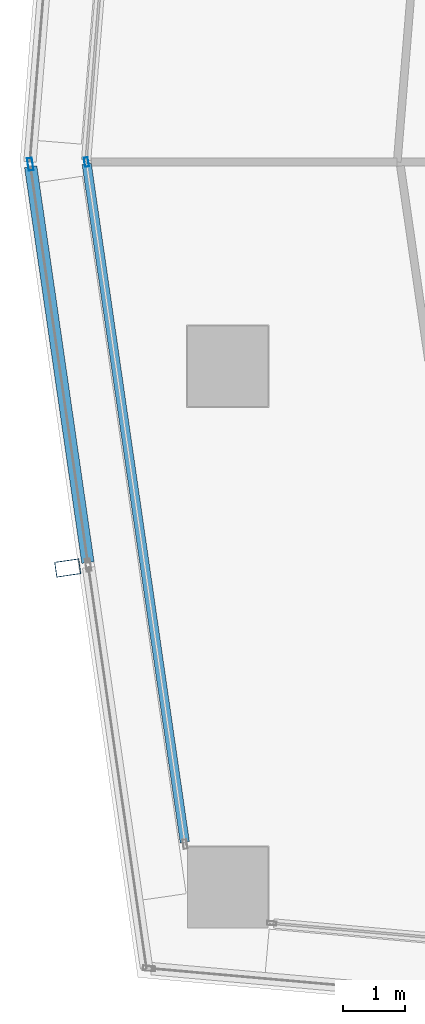
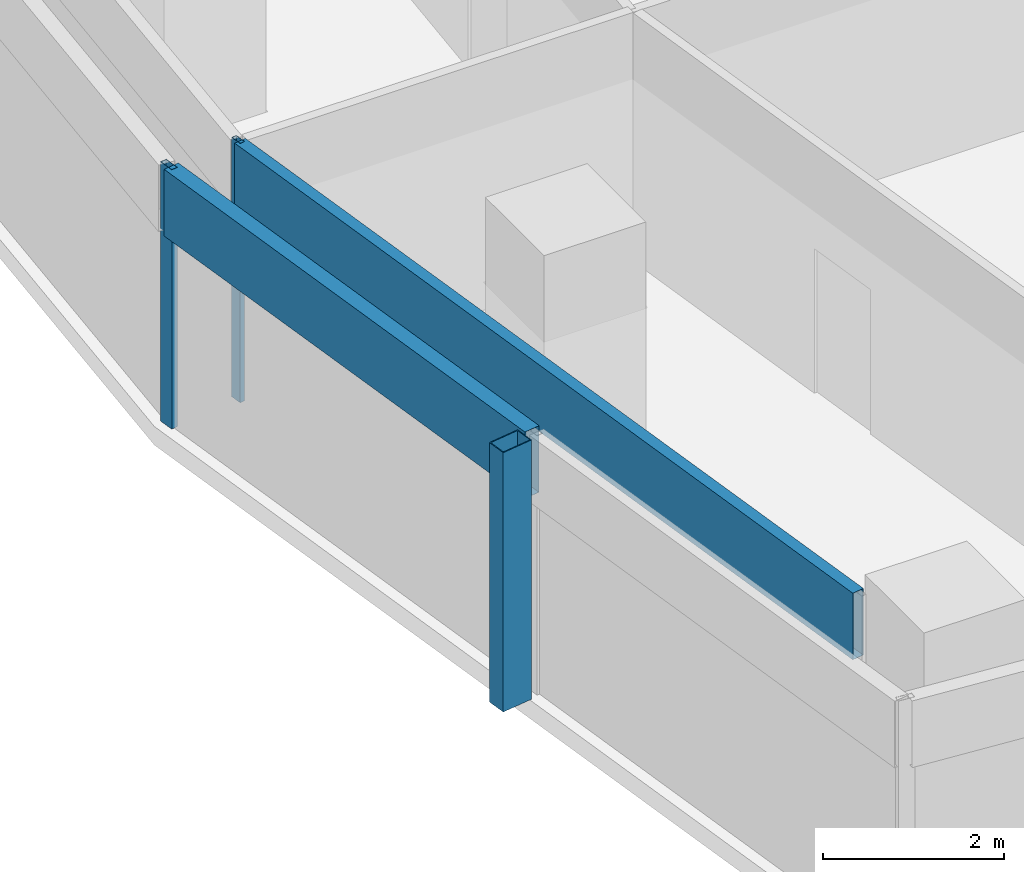
# One storey, part 4 of 30: 5 members, 2 elements without a shape of their own.
"""IFC4 building model written with IfcOpenShell, lengths in metres."""

from ifc_helpers import new_model, si_unit, direction, frame, origin, origin_2d, place, context, subcontext, project, spatial, hollow_rectangle, extrude, material, material_profile, profile_set, type_object, element, aggregate, save


model = new_model("IFC4")

# Units and contexts
model_context = context("Model", 3, precision=1e-05, world=origin(), true_north=direction((0.0, 1.0)))
body_context = subcontext(model_context, "Body", "Model", "MODEL_VIEW")
ifc_project = project(units=[si_unit("LENGTHUNIT", "METRE"), si_unit("AREAUNIT", "SQUARE_METRE"), si_unit("VOLUMEUNIT", "CUBIC_METRE"), si_unit("PLANEANGLEUNIT", "RADIAN"), si_unit("MASSUNIT", "GRAM", prefix="KILO")], contexts=[model_context])

# Site, building, storey
site_placement = place(None, origin())
site = spatial("IfcSite", under=ifc_project, at=site_placement, CompositionType="ELEMENT")
building_placement = place(site_placement, origin())
building = spatial("IfcBuilding", under=site, at=building_placement, Name="Rekha Terrace Tower", CompositionType="ELEMENT")
storey_placement = place(building_placement, frame((0.0, 0.0, 265.10009765625)))
storey = spatial("IfcBuildingStorey", under=building, at=storey_placement, Name="L67", CompositionType="ELEMENT", Elevation=265.10009765625)

# Curtain wall, member
ifc_material_1 = material(Name="Aluminium framing", Category="aluminium")
curtain_wall_type_1 = type_object("IfcCurtainWallType", Name="CW2 double skin outer glazing", PredefinedType="USERDEFINED", material=ifc_material_1)
curtain_wall_1_placement = place(storey_placement, origin())
curtain_wall_1 = element("IfcCurtainWall", 1, at=curtain_wall_1_placement, inside=storey, type_object=curtain_wall_type_1, Name="CW2 double skin outer glazing", ObjectType="DOUBLE SKIN OUTER GLAZING", PredefinedType="USERDEFINED")
ifc_material_2 = material(Name="Steel S355 with fluorocarbon finish", Category="steel")
ifc_material_profile_1 = material_profile(ifc_material_2, hollow_rectangle(XDim=0.25, YDim=0.39990234375, WallThickness=0.012451171875, at=origin_2d()), Name="RHS400x250x12.5")
ifc_profile_set_1 = profile_set([ifc_material_profile_1], Name="Steel S355 with fluorocarbon finish")
member_type_1 = type_object("IfcMemberType", Name="BL1 facade blade RHS 400 x 250", PredefinedType="USERDEFINED", material=ifc_profile_set_1)
member_1_placement = place(storey_placement, frame((5.819091796875, 21.94873046875, 0.0), z_axis=(0.0, 0.0, 1.0), x_axis=(0.143109157841, -0.989706910627, 0.0)))
member_1 = element("IfcMember", 2, at=member_1_placement, type_object=member_type_1, Name="Facade blade", ObjectType="FACADE BLADE", PredefinedType="USERDEFINED", context=body_context, shape_type="SweptSolid", body=[
    extrude(hollow_rectangle(XDim=0.25, YDim=0.39990234375, WallThickness=0.012451171875, at=origin_2d()), origin(), (0.0, 0.0, 1.0), 3.5),
])

# Curtain wall, members
curtain_wall_type_2 = type_object("IfcCurtainWallType", Name="CW1 double skin inner glazing", PredefinedType="USERDEFINED", material=ifc_material_1)
curtain_wall_2_placement = place(storey_placement, origin())
curtain_wall_2 = element("IfcCurtainWall", 3, at=curtain_wall_2_placement, inside=storey, type_object=curtain_wall_type_2, Name="CW1 double skin inner glazing", ObjectType="DOUBLE SKIN INNER GLAZING", PredefinedType="USERDEFINED")
ifc_material_3 = material(Name="Aluminium mullion section", Category="aluminium")
ifc_material_profile_2 = material_profile(ifc_material_3, hollow_rectangle(XDim=0.06494140625, YDim=0.14990234375, WallThickness=0.00390625, at=origin_2d()), Name="AL RHS 65x150")
ifc_profile_set_2 = profile_set([ifc_material_profile_2], Name="Aluminium mullion section")
member_type_2 = type_object("IfcMemberType", Name="CW1 mullion RHS 65 x 150", PredefinedType="MULLION", material=ifc_profile_set_2)
member_2_placement = place(storey_placement, frame((6.120849609375, 28.4912109375, 0.0), z_axis=(0.0, 0.0, 1.0), x_axis=(0.989707031394, 0.143108322643, 0.0)))
member_2 = element("IfcMember", 4, at=member_2_placement, type_object=member_type_2, Name="CW1 mullion 1", PredefinedType="MULLION", context=body_context, shape_type="SweptSolid", body=[
    extrude(hollow_rectangle(XDim=0.06494140625, YDim=0.14990234375, WallThickness=0.00390625, at=origin_2d()), origin(), (0.0, 0.0, 1.0), 3.5),
])
ifc_material_4 = material(Name="Insulated aluminium spandrel box", Category="aluminium")
ifc_material_profile_3 = material_profile(ifc_material_4, hollow_rectangle(XDim=0.14990234375, YDim=0.89990234375, WallThickness=0.0029296875, at=origin_2d()), Name="AL SPANDREL BOX 150x900")
ifc_profile_set_3 = profile_set([ifc_material_profile_3], Name="Insulated aluminium spandrel box")
member_type_3 = type_object("IfcMemberType", Name="CW1 spandrel transom 150 x 900", PredefinedType="USERDEFINED", material=ifc_profile_set_3)
member_3_placement = place(storey_placement, frame((6.12548828125, 28.458984375, 3.0498046875), z_axis=(0.143104894735, -0.989707527052, 0.0), x_axis=(0.989707527052, 0.143104894735, 0.0)))
member_3 = element("IfcMember", 5, at=member_3_placement, type_object=member_type_3, Name="CW1 spandrel transom 1", ObjectType="TRANSOM", PredefinedType="USERDEFINED", context=body_context, shape_type="SweptSolid", body=[
    extrude(hollow_rectangle(XDim=0.14990234375, YDim=0.89990234375, WallThickness=0.0029296875, at=origin_2d()), origin(), (0.0, 0.0, 1.0), 11.043212890625),
])
aggregate(curtain_wall_2, [member_2, member_3])

# Member
ifc_material_profile_4 = material_profile(ifc_material_3, hollow_rectangle(XDim=0.080078125, YDim=0.199951171875, WallThickness=0.00390625, at=origin_2d()), Name="AL RHS 80x200")
ifc_profile_set_4 = profile_set([ifc_material_profile_4], Name="Aluminium mullion section")
member_type_4 = type_object("IfcMemberType", Name="CW2 mullion RHS 80 x 200", PredefinedType="MULLION", material=ifc_profile_set_4)
member_4_placement = place(storey_placement, frame((5.216552734375, 28.455322265625, 0.0), z_axis=(0.0, 0.0, 1.0), x_axis=(0.989707031389, 0.143108322678, 0.0)))
member_4 = element("IfcMember", 6, at=member_4_placement, type_object=member_type_4, Name="CW2 mullion 1", PredefinedType="MULLION", context=body_context, shape_type="SweptSolid", body=[
    extrude(hollow_rectangle(XDim=0.080078125, YDim=0.199951171875, WallThickness=0.00390625, at=origin_2d()), origin(), (0.0, 0.0, 1.0), 3.5),
])

ifc_material_profile_5 = material_profile(ifc_material_4, hollow_rectangle(XDim=0.199951171875, YDim=0.89990234375, WallThickness=0.0029296875, at=origin_2d()), Name="AL SPANDREL BOX 200x900")
ifc_profile_set_5 = profile_set([ifc_material_profile_5], Name="Insulated aluminium spandrel box")
member_type_5 = type_object("IfcMemberType", Name="CW2 spandrel transom 200 x 900", PredefinedType="USERDEFINED", material=ifc_profile_set_5)
member_5_placement = place(storey_placement, frame((5.222412109375, 28.415771484375, 3.0498046875), z_axis=(0.143091438807, -0.989709472593, 0.0), x_axis=(0.989709472593, 0.143091438807, 0.0)))
member_5 = element("IfcMember", 7, at=member_5_placement, type_object=member_type_5, Name="CW2 spandrel transom 1", ObjectType="TRANSOM", PredefinedType="USERDEFINED", context=body_context, shape_type="SweptSolid", body=[
    extrude(hollow_rectangle(XDim=0.199951171875, YDim=0.89990234375, WallThickness=0.0029296875, at=origin_2d()), origin(), (0.0, 0.0, 1.0), 6.446044921875),
])

aggregate(curtain_wall_1, [member_4, member_5, member_1])

save(model, "model.ifc")
